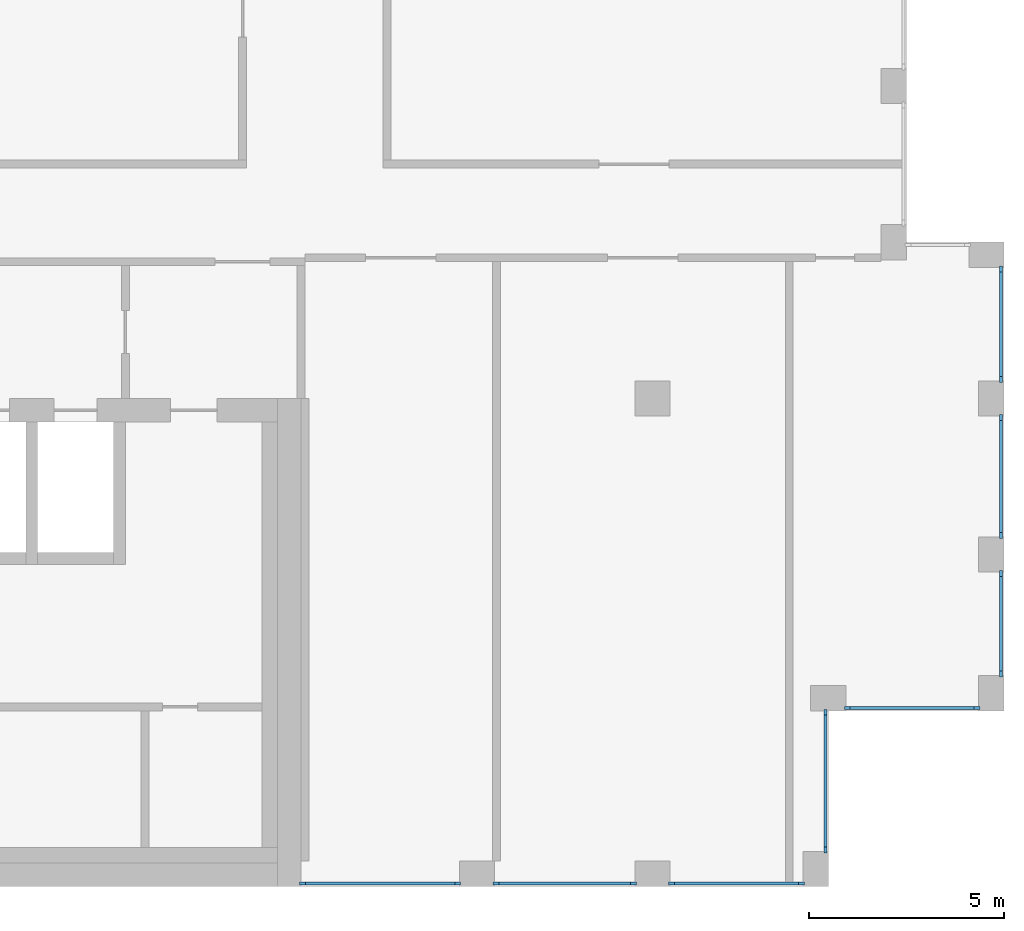
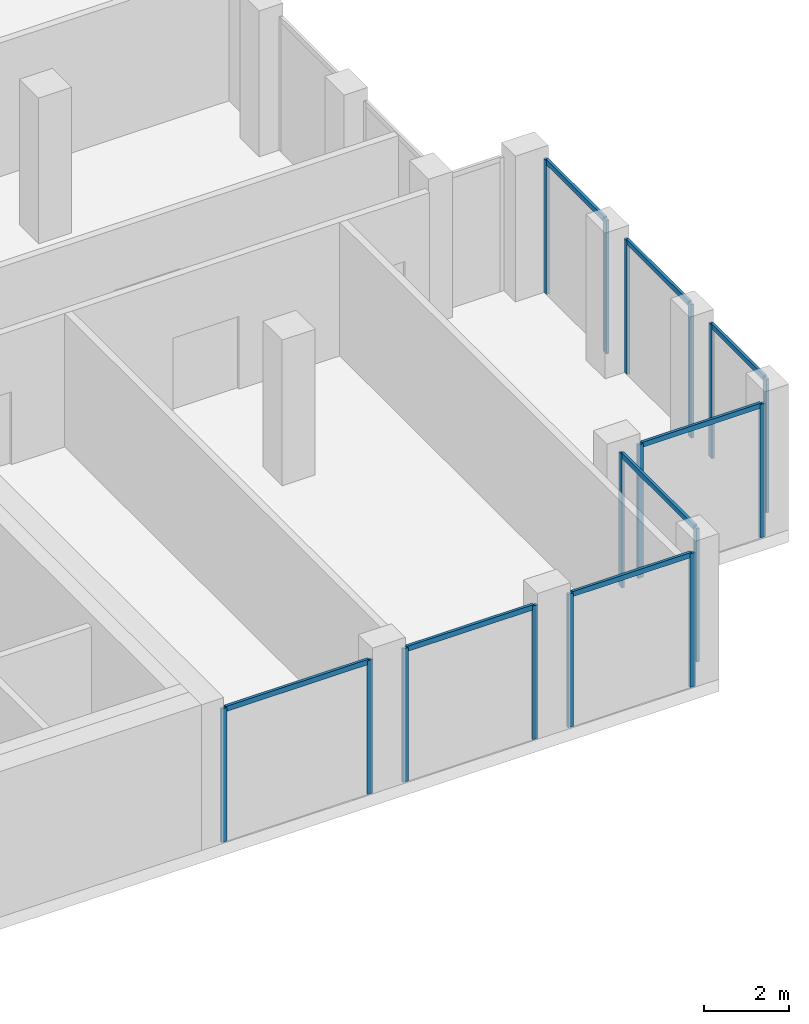
# One storey, part 4 of 15: 24 members, 8 elements without a shape of their own.
"""IFC4 building model written with IfcOpenShell, lengths in metres."""

from ifc_helpers import new_model, si_unit, direction, frame, origin, origin_2d, place, context, subcontext, project, spatial, rectangle, extrude, material, layer, layer_set, material_profile, profile_set, type_object, element, aggregate, save


model = new_model("IFC4")

# Units and contexts
model_context = context("Model", 3, precision=1e-05, world=origin(), true_north=direction((0.0, 1.0)))
body_context = subcontext(model_context, "Body", "Model", "MODEL_VIEW")
ifc_project = project(units=[si_unit("LENGTHUNIT", "METRE"), si_unit("AREAUNIT", "SQUARE_METRE"), si_unit("VOLUMEUNIT", "CUBIC_METRE"), si_unit("PLANEANGLEUNIT", "RADIAN"), si_unit("MASSUNIT", "GRAM", prefix="KILO")], contexts=[model_context])

# Site, building, storey
site_placement = place(None, origin())
site = spatial("IfcSite", under=ifc_project, at=site_placement, CompositionType="ELEMENT")
building_placement = place(site_placement, origin())
building = spatial("IfcBuilding", under=site, at=building_placement, Name="Brigalow Station Residences", CompositionType="ELEMENT")
storey_placement = place(building_placement, frame((0.0, 0.0, 240.0)))
storey = spatial("IfcBuildingStorey", under=building, at=storey_placement, Name="L69", CompositionType="ELEMENT", Elevation=240.0)

# Curtain wall, members
ifc_material_1 = material(Name="Aluminium", Category="aluminium")
ifc_layer = layer(ifc_material_1, 0.14990234375)
ifc_layer_set = layer_set([ifc_layer], Name="CROWN CURTAIN WALL")
curtain_wall_type = type_object("IfcCurtainWallType", Name="CROWN CURTAIN WALL", PredefinedType="NOTDEFINED", material=ifc_layer_set)
curtain_wall_1_placement = place(storey_placement, origin())
curtain_wall_1 = element("IfcCurtainWall", 1, at=curtain_wall_1_placement, inside=storey, type_object=curtain_wall_type, Name="L69/cw/crown-W-L69-3-2", PredefinedType="NOTDEFINED")
ifc_material_2 = material(Name="Aluminium", Category="aluminium")
ifc_material_profile_1 = material_profile(ifc_material_2, rectangle(XDim=0.074951171875, YDim=0.14990234375, at=origin_2d()), Name="CROWN MULLION 75x150")
ifc_profile_set_1 = profile_set([ifc_material_profile_1], Name="Aluminium")
member_type_1 = type_object("IfcMemberType", Name="CROWN MULLION 75x150", PredefinedType="MULLION", material=ifc_profile_set_1)
member_1_placement = place(storey_placement, frame((54.03759765625, 0.074951171875, 0.0), z_axis=(0.0, 0.0, 1.0), x_axis=(0.0, 1.0, 0.0)))
member_1 = element("IfcMember", 2, at=member_1_placement, type_object=member_type_1, Name="L69/cw/crown-W-L69-3-2/M00", PredefinedType="MULLION", context=body_context, shape_type="SweptSolid", body=[
    extrude(rectangle(XDim=0.074951171875, YDim=0.14990234375, at=origin_2d()), origin(), (0.0, 0.0, 1.0), 3.85009765625),
])
member_2_placement = place(storey_placement, frame((58.012451171875, 0.074951171875, 0.0), z_axis=(0.0, 0.0, 1.0), x_axis=(0.0, 1.0, 0.0)))
member_2 = element("IfcMember", 3, at=member_2_placement, type_object=member_type_1, Name="L69/cw/crown-W-L69-3-2/M01", PredefinedType="MULLION", context=body_context, shape_type="SweptSolid", body=[
    extrude(rectangle(XDim=0.074951171875, YDim=0.14990234375, at=origin_2d()), origin(), (0.0, 0.0, 1.0), 3.85009765625),
])

curtain_wall_2_placement = place(storey_placement, origin())
curtain_wall_2 = element("IfcCurtainWall", 4, at=curtain_wall_2_placement, inside=storey, type_object=curtain_wall_type, Name="L69/cw/crown-W-L69-3-3", PredefinedType="NOTDEFINED")
member_3_placement = place(storey_placement, frame((58.987548828125, 0.074951171875, 0.0), z_axis=(0.0, 0.0, 1.0), x_axis=(0.0, 1.0, 0.0)))
member_3 = element("IfcMember", 5, at=member_3_placement, type_object=member_type_1, Name="L69/cw/crown-W-L69-3-3/M00", PredefinedType="MULLION", context=body_context, shape_type="SweptSolid", body=[
    extrude(rectangle(XDim=0.074951171875, YDim=0.14990234375, at=origin_2d()), origin(), (0.0, 0.0, 1.0), 3.85009765625),
])
member_4_placement = place(storey_placement, frame((62.512451171875, 0.074951171875, 0.0), z_axis=(0.0, 0.0, 1.0), x_axis=(0.0, 1.0, 0.0)))
member_4 = element("IfcMember", 6, at=member_4_placement, type_object=member_type_1, Name="L69/cw/crown-W-L69-3-3/M01", PredefinedType="MULLION", context=body_context, shape_type="SweptSolid", body=[
    extrude(rectangle(XDim=0.074951171875, YDim=0.14990234375, at=origin_2d()), origin(), (0.0, 0.0, 1.0), 3.85009765625),
])

curtain_wall_3_placement = place(storey_placement, origin())
curtain_wall_3 = element("IfcCurtainWall", 7, at=curtain_wall_3_placement, inside=storey, type_object=curtain_wall_type, Name="L69/cw/crown-W-L69-3-4", PredefinedType="NOTDEFINED")
member_5_placement = place(storey_placement, frame((63.487548828125, 0.074951171875, 0.0), z_axis=(0.0, 0.0, 1.0), x_axis=(0.0, 1.0, 0.0)))
member_5 = element("IfcMember", 8, at=member_5_placement, type_object=member_type_1, Name="L69/cw/crown-W-L69-3-4/M00", PredefinedType="MULLION", context=body_context, shape_type="SweptSolid", body=[
    extrude(rectangle(XDim=0.074951171875, YDim=0.14990234375, at=origin_2d()), origin(), (0.0, 0.0, 1.0), 3.85009765625),
])
member_6_placement = place(storey_placement, frame((66.8125, 0.074951171875, 0.0), z_axis=(0.0, 0.0, 1.0), x_axis=(0.0, 1.0, 0.0)))
member_6 = element("IfcMember", 9, at=member_6_placement, type_object=member_type_1, Name="L69/cw/crown-W-L69-3-4/M01", PredefinedType="MULLION", context=body_context, shape_type="SweptSolid", body=[
    extrude(rectangle(XDim=0.074951171875, YDim=0.14990234375, at=origin_2d()), origin(), (0.0, 0.0, 1.0), 3.85009765625),
])

curtain_wall_4_placement = place(storey_placement, origin())
curtain_wall_4 = element("IfcCurtainWall", 10, at=curtain_wall_4_placement, inside=storey, type_object=curtain_wall_type, Name="L69/cw/crown-W-L69-6-5", PredefinedType="NOTDEFINED")
member_7_placement = place(storey_placement, frame((67.425048828125, 0.9375, 0.0), z_axis=(0.0, 0.0, 1.0), x_axis=(-1.0, 0.0, 0.0)))
member_7 = element("IfcMember", 11, at=member_7_placement, type_object=member_type_1, Name="L69/cw/crown-W-L69-6-5/M00", PredefinedType="MULLION", context=body_context, shape_type="SweptSolid", body=[
    extrude(rectangle(XDim=0.074951171875, YDim=0.14990234375, at=origin_2d()), origin(), (0.0, 0.0, 1.0), 3.85009765625),
])
member_8_placement = place(storey_placement, frame((67.425048828125, 4.46240234375, 0.0), z_axis=(0.0, 0.0, 1.0), x_axis=(-1.0, 0.0, 0.0)))
member_8 = element("IfcMember", 12, at=member_8_placement, type_object=member_type_1, Name="L69/cw/crown-W-L69-6-5/M01", PredefinedType="MULLION", context=body_context, shape_type="SweptSolid", body=[
    extrude(rectangle(XDim=0.074951171875, YDim=0.14990234375, at=origin_2d()), origin(), (0.0, 0.0, 1.0), 3.85009765625),
])

curtain_wall_5_placement = place(storey_placement, origin())
curtain_wall_5 = element("IfcCurtainWall", 13, at=curtain_wall_5_placement, inside=storey, type_object=curtain_wall_type, Name="L69/cw/crown-W-L69-7-6", PredefinedType="NOTDEFINED")
member_9_placement = place(storey_placement, frame((67.987548828125, 4.574951171875, 0.0), z_axis=(0.0, 0.0, 1.0), x_axis=(0.0, 1.0, 0.0)))
member_9 = element("IfcMember", 14, at=member_9_placement, type_object=member_type_1, Name="L69/cw/crown-W-L69-7-6/M00", PredefinedType="MULLION", context=body_context, shape_type="SweptSolid", body=[
    extrude(rectangle(XDim=0.074951171875, YDim=0.14990234375, at=origin_2d()), origin(), (0.0, 0.0, 1.0), 3.85009765625),
])
member_10_placement = place(storey_placement, frame((71.3125, 4.574951171875, 0.0), z_axis=(0.0, 0.0, 1.0), x_axis=(0.0, 1.0, 0.0)))
member_10 = element("IfcMember", 15, at=member_10_placement, type_object=member_type_1, Name="L69/cw/crown-W-L69-7-6/M01", PredefinedType="MULLION", context=body_context, shape_type="SweptSolid", body=[
    extrude(rectangle(XDim=0.074951171875, YDim=0.14990234375, at=origin_2d()), origin(), (0.0, 0.0, 1.0), 3.85009765625),
])

curtain_wall_6_placement = place(storey_placement, origin())
curtain_wall_6 = element("IfcCurtainWall", 16, at=curtain_wall_6_placement, inside=storey, type_object=curtain_wall_type, Name="L69/cw/crown-W-L69-8-7", PredefinedType="NOTDEFINED")
member_11_placement = place(storey_placement, frame((71.925048828125, 5.4375, 0.0), z_axis=(0.0, 0.0, 1.0), x_axis=(-1.0, 0.0, 0.0)))
member_11 = element("IfcMember", 17, at=member_11_placement, type_object=member_type_1, Name="L69/cw/crown-W-L69-8-7/M00", PredefinedType="MULLION", context=body_context, shape_type="SweptSolid", body=[
    extrude(rectangle(XDim=0.074951171875, YDim=0.14990234375, at=origin_2d()), origin(), (0.0, 0.0, 1.0), 3.85009765625),
])
member_12_placement = place(storey_placement, frame((71.925048828125, 8.012451171875, 0.0), z_axis=(0.0, 0.0, 1.0), x_axis=(-1.0, 0.0, 0.0)))
member_12 = element("IfcMember", 18, at=member_12_placement, type_object=member_type_1, Name="L69/cw/crown-W-L69-8-7/M01", PredefinedType="MULLION", context=body_context, shape_type="SweptSolid", body=[
    extrude(rectangle(XDim=0.074951171875, YDim=0.14990234375, at=origin_2d()), origin(), (0.0, 0.0, 1.0), 3.85009765625),
])

curtain_wall_7_placement = place(storey_placement, origin())
curtain_wall_7 = element("IfcCurtainWall", 19, at=curtain_wall_7_placement, inside=storey, type_object=curtain_wall_type, Name="L69/cw/crown-W-L69-8-8", PredefinedType="NOTDEFINED")
member_13_placement = place(storey_placement, frame((71.925048828125, 8.987548828125, 0.0), z_axis=(0.0, 0.0, 1.0), x_axis=(-1.0, 0.0, 0.0)))
member_13 = element("IfcMember", 20, at=member_13_placement, type_object=member_type_1, Name="L69/cw/crown-W-L69-8-8/M00", PredefinedType="MULLION", context=body_context, shape_type="SweptSolid", body=[
    extrude(rectangle(XDim=0.074951171875, YDim=0.14990234375, at=origin_2d()), origin(), (0.0, 0.0, 1.0), 3.85009765625),
])
member_14_placement = place(storey_placement, frame((71.925048828125, 12.012451171875, 0.0), z_axis=(0.0, 0.0, 1.0), x_axis=(-1.0, 0.0, 0.0)))
member_14 = element("IfcMember", 21, at=member_14_placement, type_object=member_type_1, Name="L69/cw/crown-W-L69-8-8/M01", PredefinedType="MULLION", context=body_context, shape_type="SweptSolid", body=[
    extrude(rectangle(XDim=0.074951171875, YDim=0.14990234375, at=origin_2d()), origin(), (0.0, 0.0, 1.0), 3.85009765625),
])

curtain_wall_8_placement = place(storey_placement, origin())
curtain_wall_8 = element("IfcCurtainWall", 22, at=curtain_wall_8_placement, inside=storey, type_object=curtain_wall_type, Name="L69/cw/crown-W-L69-8-9", PredefinedType="NOTDEFINED")
member_15_placement = place(storey_placement, frame((71.925048828125, 12.987548828125, 0.0), z_axis=(0.0, 0.0, 1.0), x_axis=(-1.0, 0.0, 0.0)))
member_15 = element("IfcMember", 23, at=member_15_placement, type_object=member_type_1, Name="L69/cw/crown-W-L69-8-9/M00", PredefinedType="MULLION", context=body_context, shape_type="SweptSolid", body=[
    extrude(rectangle(XDim=0.074951171875, YDim=0.14990234375, at=origin_2d()), origin(), (0.0, 0.0, 1.0), 3.85009765625),
])
member_16_placement = place(storey_placement, frame((71.925048828125, 15.8125, 0.0), z_axis=(0.0, 0.0, 1.0), x_axis=(-1.0, 0.0, 0.0)))
member_16 = element("IfcMember", 24, at=member_16_placement, type_object=member_type_1, Name="L69/cw/crown-W-L69-8-9/M01", PredefinedType="MULLION", context=body_context, shape_type="SweptSolid", body=[
    extrude(rectangle(XDim=0.074951171875, YDim=0.14990234375, at=origin_2d()), origin(), (0.0, 0.0, 1.0), 3.85009765625),
])

# Member
ifc_material_3 = material(Name="Aluminium", Category="aluminium")
ifc_material_profile_2 = material_profile(ifc_material_3, rectangle(XDim=0.074951171875, YDim=0.14990234375, at=origin_2d()), Name="CROWN TRANSOM 75x150")
ifc_profile_set_2 = profile_set([ifc_material_profile_2], Name="Aluminium")
member_type_2 = type_object("IfcMemberType", Name="CROWN TRANSOM 75x150", PredefinedType="USERDEFINED", material=ifc_profile_set_2)
member_17_placement = place(storey_placement, frame((54.074951171875, 0.074951171875, 3.8125), z_axis=(1.0, 0.0, 0.0), x_axis=(0.0, 1.0, 0.0)))
member_17 = element("IfcMember", 25, at=member_17_placement, type_object=member_type_2, Name="L69/cw/crown-W-L69-3-2/T00-00", ObjectType="TRANSOM", PredefinedType="USERDEFINED", context=body_context, shape_type="SweptSolid", body=[
    extrude(rectangle(XDim=0.074951171875, YDim=0.14990234375, at=origin_2d()), origin(), (0.0, 0.0, 1.0), 3.900146484375),
])

aggregate(curtain_wall_1, [member_1, member_2, member_17])

member_18_placement = place(storey_placement, frame((59.02490234375, 0.074951171875, 3.8125), z_axis=(1.0, 0.0, 0.0), x_axis=(0.0, 1.0, 0.0)))
member_18 = element("IfcMember", 26, at=member_18_placement, type_object=member_type_2, Name="L69/cw/crown-W-L69-3-3/T00-00", ObjectType="TRANSOM", PredefinedType="USERDEFINED", context=body_context, shape_type="SweptSolid", body=[
    extrude(rectangle(XDim=0.074951171875, YDim=0.14990234375, at=origin_2d()), origin(), (0.0, 0.0, 1.0), 3.4501953125),
])

aggregate(curtain_wall_2, [member_3, member_4, member_18])

member_19_placement = place(storey_placement, frame((63.52490234375, 0.074951171875, 3.8125), z_axis=(1.0, 0.0, 0.0), x_axis=(0.0, 1.0, 0.0)))
member_19 = element("IfcMember", 27, at=member_19_placement, type_object=member_type_2, Name="L69/cw/crown-W-L69-3-4/T00-00", ObjectType="TRANSOM", PredefinedType="USERDEFINED", context=body_context, shape_type="SweptSolid", body=[
    extrude(rectangle(XDim=0.074951171875, YDim=0.14990234375, at=origin_2d()), origin(), (0.0, 0.0, 1.0), 3.25),
])

aggregate(curtain_wall_3, [member_5, member_6, member_19])

member_20_placement = place(storey_placement, frame((67.425048828125, 0.97509765625, 3.8125), z_axis=(0.0, 1.0, 0.0), x_axis=(-1.0, 0.0, 0.0)))
member_20 = element("IfcMember", 28, at=member_20_placement, type_object=member_type_2, Name="L69/cw/crown-W-L69-6-5/T00-00", ObjectType="TRANSOM", PredefinedType="USERDEFINED", context=body_context, shape_type="SweptSolid", body=[
    extrude(rectangle(XDim=0.074951171875, YDim=0.14990234375, at=origin_2d()), origin(), (0.0, 0.0, 1.0), 3.449951171875),
])

aggregate(curtain_wall_4, [member_7, member_8, member_20])

member_21_placement = place(storey_placement, frame((68.02490234375, 4.574951171875, 3.8125), z_axis=(1.0, 0.0, 0.0), x_axis=(0.0, 1.0, 0.0)))
member_21 = element("IfcMember", 29, at=member_21_placement, type_object=member_type_2, Name="L69/cw/crown-W-L69-7-6/T00-00", ObjectType="TRANSOM", PredefinedType="USERDEFINED", context=body_context, shape_type="SweptSolid", body=[
    extrude(rectangle(XDim=0.074951171875, YDim=0.14990234375, at=origin_2d()), origin(), (0.0, 0.0, 1.0), 3.25),
])

aggregate(curtain_wall_5, [member_9, member_10, member_21])

member_22_placement = place(storey_placement, frame((71.925048828125, 5.47509765625, 3.8125), z_axis=(0.0, 1.0, 0.0), x_axis=(-1.0, 0.0, 0.0)))
member_22 = element("IfcMember", 30, at=member_22_placement, type_object=member_type_2, Name="L69/cw/crown-W-L69-8-7/T00-00", ObjectType="TRANSOM", PredefinedType="USERDEFINED", context=body_context, shape_type="SweptSolid", body=[
    extrude(rectangle(XDim=0.074951171875, YDim=0.14990234375, at=origin_2d()), origin(), (0.0, 0.0, 1.0), 2.5),
])

aggregate(curtain_wall_6, [member_11, member_12, member_22])

member_23_placement = place(storey_placement, frame((71.925048828125, 9.02490234375, 3.8125), z_axis=(0.0, 1.0, 0.0), x_axis=(-1.0, 0.0, 0.0)))
member_23 = element("IfcMember", 31, at=member_23_placement, type_object=member_type_2, Name="L69/cw/crown-W-L69-8-8/T00-00", ObjectType="TRANSOM", PredefinedType="USERDEFINED", context=body_context, shape_type="SweptSolid", body=[
    extrude(rectangle(XDim=0.074951171875, YDim=0.14990234375, at=origin_2d()), origin(), (0.0, 0.0, 1.0), 2.9501953125),
])

aggregate(curtain_wall_7, [member_13, member_14, member_23])

member_24_placement = place(storey_placement, frame((71.925048828125, 13.02490234375, 3.8125), z_axis=(0.0, 1.0, 0.0), x_axis=(-1.0, 0.0, 0.0)))
member_24 = element("IfcMember", 32, at=member_24_placement, type_object=member_type_2, Name="L69/cw/crown-W-L69-8-9/T00-00", ObjectType="TRANSOM", PredefinedType="USERDEFINED", context=body_context, shape_type="SweptSolid", body=[
    extrude(rectangle(XDim=0.074951171875, YDim=0.14990234375, at=origin_2d()), origin(), (0.0, 0.0, 1.0), 2.75),
])

aggregate(curtain_wall_8, [member_15, member_16, member_24])

save(model, "model.ifc")
